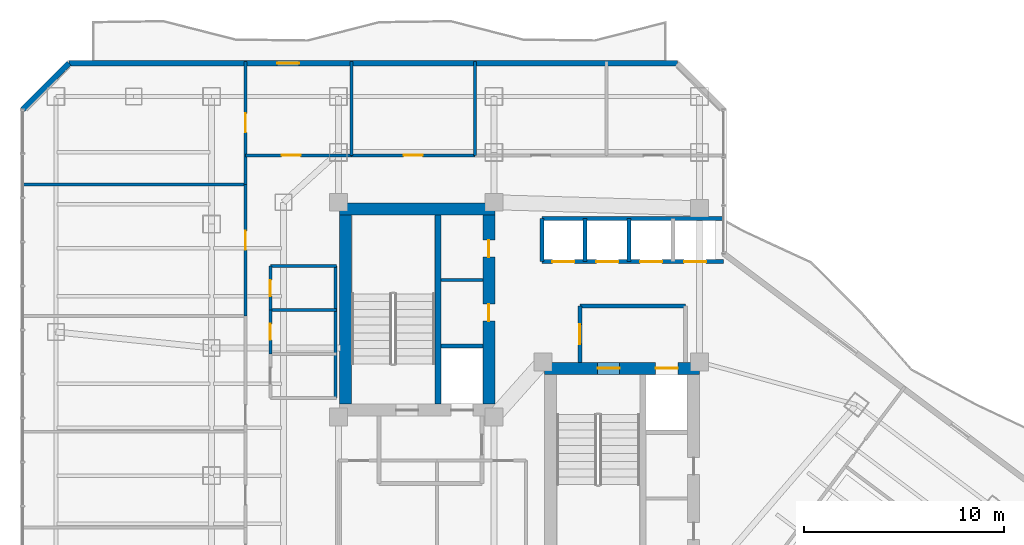
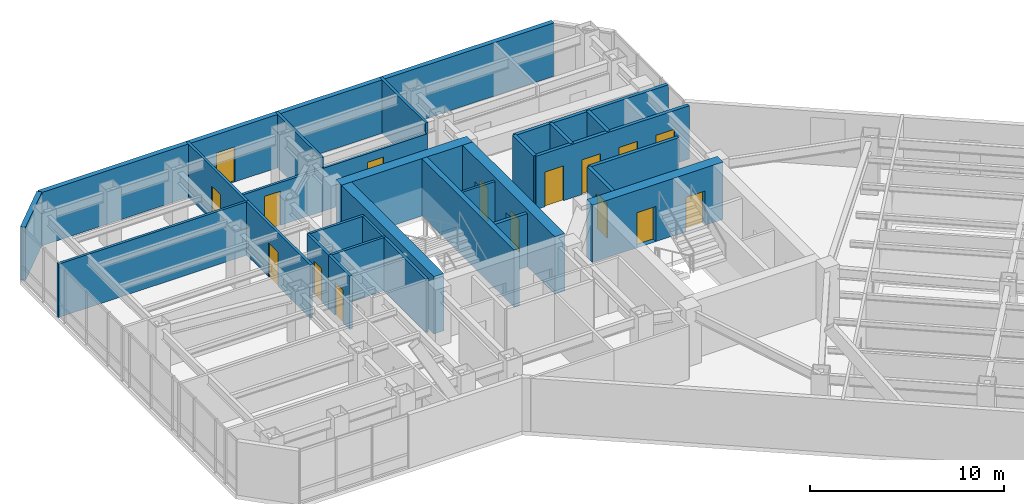
# One storey, part 25 of 31: 28 walls, 16 doors, 16 openings.
"""IFC4 building model written with IfcOpenShell, lengths in metres."""

from ifc_helpers import new_model, si_unit, direction, frame, frame_2d, origin, place, context, subcontext, project, spatial, rectangle, extrude, material, layer, layer_set, type_object, element, fill, save


model = new_model("IFC4")

# Units and contexts
model_context = context("Model", 3, precision=1e-05, world=origin(), true_north=direction((0.0, 1.0)))
body_context = subcontext(model_context, "Body", "Model", "MODEL_VIEW")
ifc_project = project(units=[si_unit("LENGTHUNIT", "METRE"), si_unit("AREAUNIT", "SQUARE_METRE"), si_unit("VOLUMEUNIT", "CUBIC_METRE"), si_unit("PLANEANGLEUNIT", "RADIAN"), si_unit("MASSUNIT", "GRAM", prefix="KILO")], contexts=[model_context])

# Site, building, storey
site_placement = place(None, origin())
site = spatial("IfcSite", under=ifc_project, at=site_placement, CompositionType="ELEMENT")
building_placement = place(site_placement, origin())
building = spatial("IfcBuilding", under=site, at=building_placement, Name="Hatsunagi Terrace Concourse", CompositionType="ELEMENT")
storey_placement = place(building_placement, frame((0.0, 0.0, 122.85009765625)))
storey = spatial("IfcBuildingStorey", under=building, at=storey_placement, Name="L32", CompositionType="ELEMENT", Elevation=122.85009765625)

# Walls
ifc_material_1 = material(Name="Concrete Fc48", Category="concrete")
ifc_layer_1 = layer(ifc_material_1, 0.60009765625)
ifc_layer_set_1 = layer_set([ifc_layer_1], Name="CoreShearWall_Fc48_600")
wall_type_1 = type_object("IfcWallType", Name="CoreShearWall_Fc48_600", PredefinedType="SHEAR", material=ifc_layer_set_1)
wall_1_placement = place(storey_placement, frame((25.6201171875, 42.969970703125, 0.0), z_axis=(0.0, 0.0, 1.0), x_axis=(1.0, 0.0, 0.0)))
element("IfcWall", 1, at=wall_1_placement, inside=storey, type_object=wall_type_1, Name="Core A Shear Wall N L32", PredefinedType="SHEAR", context=body_context, shape_type="SweptSolid", body=[
    extrude(rectangle(XDim=7.77978515625, YDim=0.60009765625, at=frame_2d((3.889892578125, 0.0))), origin(), (0.0, 0.0, 1.0), 3.599853515625),
])
wall_2_placement = place(storey_placement, frame((25.919921875, 33.18994140625, 0.0), z_axis=(0.0, 0.0, 1.0), x_axis=(0.0, 1.0, 0.0)))
element("IfcWall", 2, at=wall_2_placement, inside=storey, type_object=wall_type_1, Name="Core A Shear Wall W L32", PredefinedType="SHEAR", context=body_context, shape_type="SweptSolid", body=[
    extrude(rectangle(XDim=9.47998046875, YDim=0.60009765625, at=frame_2d((4.739990234375, 0.0))), origin(), (0.0, 0.0, 1.0), 3.599853515625),
])

# Wall, openings, doors
wall_3_placement = place(storey_placement, frame((33.10009765625, 33.18994140625, 0.0), z_axis=(0.0, 0.0, 1.0), x_axis=(0.0, 1.0, 0.0)))
wall_3 = element("IfcWall", 3, at=wall_3_placement, inside=storey, type_object=wall_type_1, Name="Core A Shear Wall E L32", PredefinedType="SHEAR", context=body_context, shape_type="SweptSolid", body=[
    extrude(rectangle(XDim=9.47998046875, YDim=0.60009765625, at=frame_2d((4.739990234375, 0.0))), origin(), (0.0, 0.0, 1.0), 3.599853515625),
])
opening_1_placement = place(wall_3_placement, frame((4.159912109375, 0.0, 0.0)))
opening_1 = element("IfcOpeningElement", 4, at=opening_1_placement, cuts=wall_3, Name="Opening DR-085", PredefinedType="OPENING", context=body_context, shape_type="SweptSolid", body=[
    extrude(rectangle(XDim=0.85009765625, YDim=2.080078125, at=frame_2d((0.425048828125, 1.0400390625))), frame((0.0, 0.31005859375, 0.0), z_axis=(0.0, -1.0, 0.0), x_axis=(1.0, 0.0, 0.0)), (0.0, 0.0, 1.0), 0.6201171875),
])
opening_2_placement = place(wall_3_placement, frame((7.360107421875, 0.0, 0.0)))
opening_2 = element("IfcOpeningElement", 5, at=opening_2_placement, cuts=wall_3, Name="Opening DR-085", PredefinedType="OPENING", context=body_context, shape_type="SweptSolid", body=[
    extrude(rectangle(XDim=0.85009765625, YDim=2.080078125, at=frame_2d((0.425048828125, 1.0400390625))), frame((0.0, 0.31005859375, 0.0), z_axis=(0.0, -1.0, 0.0), x_axis=(1.0, 0.0, 0.0)), (0.0, 0.0, 1.0), 0.6201171875),
])
ifc_material_2 = material(Name="Painted steel", Category="steel")
door_type_1 = type_object("IfcDoorType", Name="RiserAccessDoor_EI60_850", OperationType="NOTDEFINED", PredefinedType="DOOR", material=ifc_material_2)
door_1_placement = place(opening_1_placement, origin())
door_1 = element("IfcDoor", 6, at=door_1_placement, inside=storey, type_object=door_type_1, Name="Core A Riser Door L32-1", OperationType="SINGLE_SWING_LEFT", OverallHeight=2.080078125, OverallWidth=0.85009765625, PredefinedType="DOOR", context=body_context, shape_type="SweptSolid", body=[
    extrude(rectangle(XDim=0.85009765625, YDim=2.080078125, at=frame_2d((0.425048828125, 1.0400390625))), frame((0.0, 0.02490234375, 0.0), z_axis=(0.0, -1.0, 0.0), x_axis=(1.0, 0.0, 0.0)), (0.0, 0.0, 1.0), 0.050048828125),
])
fill(opening_1, door_1)
door_2_placement = place(opening_2_placement, origin())
door_2 = element("IfcDoor", 7, at=door_2_placement, inside=storey, type_object=door_type_1, Name="Core A Riser Door L32-2", OperationType="SINGLE_SWING_LEFT", OverallHeight=2.080078125, OverallWidth=0.85009765625, PredefinedType="DOOR", context=body_context, shape_type="SweptSolid", body=[
    extrude(rectangle(XDim=0.85009765625, YDim=2.080078125, at=frame_2d((0.425048828125, 1.0400390625))), frame((0.0, 0.02490234375, 0.0), z_axis=(0.0, -1.0, 0.0), x_axis=(1.0, 0.0, 0.0)), (0.0, 0.0, 1.0), 0.050048828125),
])
fill(opening_2, door_2)

wall_4_placement = place(storey_placement, frame((35.889892578125, 34.969970703125, 0.0), z_axis=(0.0, 0.0, 1.0), x_axis=(1.0, 0.0, 0.0)))
wall_4 = element("IfcWall", 8, at=wall_4_placement, inside=storey, type_object=wall_type_1, Name="Core B Shear Wall N L32", PredefinedType="SHEAR", context=body_context, shape_type="SweptSolid", body=[
    extrude(rectangle(XDim=7.760009765625, YDim=0.60009765625, at=frame_2d((3.8798828125, 0.0))), origin(), (0.0, 0.0, 1.0), 3.599853515625),
])
opening_3_placement = place(wall_4_placement, frame((2.659912109375, 0.0, 0.0)))
opening_3 = element("IfcOpeningElement", 9, at=opening_3_placement, cuts=wall_4, Name="Opening DR-110S", PredefinedType="OPENING", context=body_context, shape_type="SweptSolid", body=[
    extrude(rectangle(XDim=1.10009765625, YDim=2.199951171875, at=frame_2d((0.550048828125, 1.10009765625))), frame((0.0, 0.31005859375, 0.0), z_axis=(0.0, -1.0, 0.0), x_axis=(1.0, 0.0, 0.0)), (0.0, 0.0, 1.0), 0.6201171875),
])
opening_4_placement = place(wall_4_placement, frame((5.56005859375, 0.0, 0.0)))
opening_4 = element("IfcOpeningElement", 10, at=opening_4_placement, cuts=wall_4, Name="Opening LD-02", PredefinedType="OPENING", context=body_context, shape_type="SweptSolid", body=[
    extrude(rectangle(XDim=1.1201171875, YDim=2.14990234375, at=frame_2d((0.56005859375, 1.074951171875))), frame((0.0, 0.31005859375, 0.0), z_axis=(0.0, -1.0, 0.0), x_axis=(1.0, 0.0, 0.0)), (0.0, 0.0, 1.0), 0.6201171875),
])
ifc_material_3 = material(Name="Stainless steel", Category="steel")
door_type_2 = type_object("IfcDoorType", Name="LiftLandingDoor_LD02", OperationType="SLIDING_TO_RIGHT", PredefinedType="USERDEFINED", material=ifc_material_3)
door_3_placement = place(opening_4_placement, origin())
door_3 = element("IfcDoor", 11, at=door_3_placement, inside=storey, type_object=door_type_2, Name="Lift landing door FF-02 L32", ObjectType="SLIDING_LANDING_DOOR", OperationType="SLIDING_TO_RIGHT", OverallHeight=2.14990234375, OverallWidth=1.1201171875, PredefinedType="USERDEFINED", context=body_context, shape_type="SweptSolid", body=[
    extrude(rectangle(XDim=1.1201171875, YDim=2.14990234375, at=frame_2d((0.56005859375, 1.074951171875))), frame((0.0, 0.02490234375, 0.0), z_axis=(0.0, -1.0, 0.0), x_axis=(1.0, 0.0, 0.0)), (0.0, 0.0, 1.0), 0.050048828125),
])
fill(opening_4, door_3)
ifc_material_4 = material(Name="Painted steel", Category="steel")
door_type_3 = type_object("IfcDoorType", Name="StairFireDoor_EI60_1100", OperationType="NOTDEFINED", PredefinedType="DOOR", material=ifc_material_4)
door_4_placement = place(opening_3_placement, origin())
door_4 = element("IfcDoor", 12, at=door_4_placement, inside=storey, type_object=door_type_3, Name="Stair ST-B Exit Door L32", OperationType="SINGLE_SWING_RIGHT", OverallHeight=2.199951171875, OverallWidth=1.10009765625, PredefinedType="DOOR", context=body_context, shape_type="SweptSolid", body=[
    extrude(rectangle(XDim=1.10009765625, YDim=2.199951171875, at=frame_2d((0.550048828125, 1.10009765625))), frame((0.0, 0.02490234375, 0.0), z_axis=(0.0, -1.0, 0.0), x_axis=(1.0, 0.0, 0.0)), (0.0, 0.0, 1.0), 0.050048828125),
])
fill(opening_3, door_4)

# Walls
ifc_material_5 = material(Name="Concrete Fc48", Category="concrete")
ifc_layer_2 = layer(ifc_material_5, 0.300048828125)
ifc_layer_set_2 = layer_set([ifc_layer_2], Name="CoreStairDivider_Fc48_300")
wall_type_2 = type_object("IfcWallType", Name="CoreStairDivider_Fc48_300", PredefinedType="SHEAR", material=ifc_layer_set_2)
wall_5_placement = place(storey_placement, frame((30.5400390625, 33.18994140625, 0.0), z_axis=(0.0, 0.0, 1.0), x_axis=(0.0, 1.0, 0.0)))
element("IfcWall", 13, at=wall_5_placement, inside=storey, type_object=wall_type_2, Name="Core A Shear Wall D L32", PredefinedType="SHEAR", context=body_context, shape_type="SweptSolid", body=[
    extrude(rectangle(XDim=9.47998046875, YDim=0.300048828125, at=frame_2d((4.739990234375, 0.0))), origin(), (0.0, 0.0, 1.0), 3.599853515625),
])
ifc_material_6 = material(Name="Acoustic mineral board", Category="gypsum")
ifc_layer_3 = layer(ifc_material_6, 0.14990234375)
ifc_layer_set_3 = layer_set([ifc_layer_3], Name="PartitionWall_EI60_150")
wall_type_3 = type_object("IfcWallType", Name="PartitionWall_EI60_150", PredefinedType="PARTITIONING", material=ifc_layer_set_3)
wall_6_placement = place(storey_placement, frame((30.699951171875, 39.39990234375, 0.0), z_axis=(0.0, 0.0, 1.0), x_axis=(1.0, 0.0, 0.0)))
element("IfcWall", 14, at=wall_6_placement, inside=storey, type_object=wall_type_3, Name="Interior Partition IW-L32-002", PredefinedType="PARTITIONING", context=body_context, shape_type="SweptSolid", body=[
    extrude(rectangle(XDim=2.10009765625, YDim=0.14990234375, at=frame_2d((1.050048828125, 0.0))), origin(), (0.0, 0.0, 1.0), 3.349853515625),
])
wall_7_placement = place(storey_placement, frame((22.14990234375, 40.10009765625, 0.0), z_axis=(0.0, 0.0, 1.0), x_axis=(1.0, 0.0, 0.0)))
element("IfcWall", 15, at=wall_7_placement, inside=storey, type_object=wall_type_3, Name="Interior Partition IW-L32-018", PredefinedType="PARTITIONING", context=body_context, shape_type="SweptSolid", body=[
    extrude(rectangle(XDim=3.300048828125, YDim=0.14990234375, at=frame_2d((1.64990234375, 0.0))), origin(), (0.0, 0.0, 1.0), 3.349853515625),
])
wall_8_placement = place(storey_placement, frame((25.39990234375, 33.5, 0.0), z_axis=(0.0, 0.0, 1.0), x_axis=(0.0, 1.0, 0.0)))
element("IfcWall", 16, at=wall_8_placement, inside=storey, type_object=wall_type_3, Name="Interior Partition IW-L32-019", PredefinedType="PARTITIONING", context=body_context, shape_type="SweptSolid", body=[
    extrude(rectangle(XDim=6.60009765625, YDim=0.14990234375, at=frame_2d((3.300048828125, 0.0))), origin(), (0.0, 0.0, 1.0), 3.349853515625),
])
wall_9_placement = place(storey_placement, frame((22.14990234375, 37.89990234375, 0.0), z_axis=(0.0, 0.0, 1.0), x_axis=(1.0, 0.0, 0.0)))
element("IfcWall", 17, at=wall_9_placement, inside=storey, type_object=wall_type_3, Name="Interior Partition IW-L32-021", PredefinedType="PARTITIONING", context=body_context, shape_type="SweptSolid", body=[
    extrude(rectangle(XDim=3.300048828125, YDim=0.14990234375, at=frame_2d((1.64990234375, 0.0))), origin(), (0.0, 0.0, 1.0), 3.349853515625),
])

# Wall, opening, door
wall_10_placement = place(storey_placement, frame((22.14990234375, 35.699951171875, 0.0), z_axis=(0.0, 0.0, 1.0), x_axis=(0.0, 1.0, 0.0)))
wall_10 = element("IfcWall", 18, at=wall_10_placement, inside=storey, type_object=wall_type_3, Name="Interior Partition IW-L32-023", PredefinedType="PARTITIONING", context=body_context, shape_type="SweptSolid", body=[
    extrude(rectangle(XDim=2.199951171875, YDim=0.14990234375, at=frame_2d((1.10009765625, 0.0))), origin(), (0.0, 0.0, 1.0), 3.349853515625),
])
opening_5_placement = place(wall_10_placement, frame((0.699951171875, 0.0, 0.0)))
opening_5 = element("IfcOpeningElement", 19, at=opening_5_placement, cuts=wall_10, Name="Opening DR-080", PredefinedType="OPENING", context=body_context, shape_type="SweptSolid", body=[
    extrude(rectangle(XDim=0.800048828125, YDim=2.06005859375, at=frame_2d((0.39990234375, 1.030029296875))), frame((0.0, 0.0849609375, 0.0), z_axis=(0.0, -1.0, 0.0), x_axis=(1.0, 0.0, 0.0)), (0.0, 0.0, 1.0), 0.169921875),
])
ifc_material_7 = material(Name="Hardwood timber", Category="wood")
door_type_4 = type_object("IfcDoorType", Name="BathroomDoor_800", OperationType="NOTDEFINED", PredefinedType="DOOR", material=ifc_material_7)
door_5_placement = place(opening_5_placement, origin())
door_5 = element("IfcDoor", 20, at=door_5_placement, inside=storey, type_object=door_type_4, Name="Female Restroom Door L32", OperationType="SINGLE_SWING_RIGHT", OverallHeight=2.06005859375, OverallWidth=0.800048828125, PredefinedType="DOOR", context=body_context, shape_type="SweptSolid", body=[
    extrude(rectangle(XDim=0.800048828125, YDim=2.06005859375, at=frame_2d((0.39990234375, 1.030029296875))), frame((0.0, 0.02490234375, 0.0), z_axis=(0.0, -1.0, 0.0), x_axis=(1.0, 0.0, 0.0)), (0.0, 0.0, 1.0), 0.050048828125),
])
fill(opening_5, door_5)

wall_11_placement = place(storey_placement, frame((22.14990234375, 37.89990234375, 0.0), z_axis=(0.0, 0.0, 1.0), x_axis=(0.0, 1.0, 0.0)))
wall_11 = element("IfcWall", 21, at=wall_11_placement, inside=storey, type_object=wall_type_3, Name="Interior Partition IW-L32-024", PredefinedType="PARTITIONING", context=body_context, shape_type="SweptSolid", body=[
    extrude(rectangle(XDim=2.2001953125, YDim=0.14990234375, at=frame_2d((1.10009765625, 0.0))), origin(), (0.0, 0.0, 1.0), 3.349853515625),
])
opening_6_placement = place(wall_11_placement, frame((0.699951171875, 0.0, 0.0)))
opening_6 = element("IfcOpeningElement", 22, at=opening_6_placement, cuts=wall_11, Name="Opening DR-080", PredefinedType="OPENING", context=body_context, shape_type="SweptSolid", body=[
    extrude(rectangle(XDim=0.800048828125, YDim=2.06005859375, at=frame_2d((0.39990234375, 1.030029296875))), frame((0.0, 0.0849609375, 0.0), z_axis=(0.0, -1.0, 0.0), x_axis=(1.0, 0.0, 0.0)), (0.0, 0.0, 1.0), 0.169921875),
])
door_6_placement = place(opening_6_placement, origin())
door_6 = element("IfcDoor", 23, at=door_6_placement, inside=storey, type_object=door_type_4, Name="Male Restroom Door L32", OperationType="SINGLE_SWING_RIGHT", OverallHeight=2.06005859375, OverallWidth=0.800048828125, PredefinedType="DOOR", context=body_context, shape_type="SweptSolid", body=[
    extrude(rectangle(XDim=0.800048828125, YDim=2.06005859375, at=frame_2d((0.39990234375, 1.030029296875))), frame((0.0, 0.02490234375, 0.0), z_axis=(0.0, -1.0, 0.0), x_axis=(1.0, 0.0, 0.0)), (0.0, 0.0, 1.0), 0.050048828125),
])
fill(opening_6, door_6)

# Wall
wall_12_placement = place(storey_placement, frame((9.639892578125, 44.199951171875, 0.0), z_axis=(0.0, 0.0, 1.0), x_axis=(1.0, 0.0, 0.0)))
element("IfcWall", 24, at=wall_12_placement, inside=storey, type_object=wall_type_3, Name="Interior Partition IW-L32-038", PredefinedType="PARTITIONING", context=body_context, shape_type="SweptSolid", body=[
    extrude(rectangle(XDim=11.260009765625, YDim=0.14990234375, at=frame_2d((5.6298828125, 0.0))), origin(), (0.0, 0.0, 1.0), 3.349853515625),
])

# Wall, opening, door
wall_13_placement = place(storey_placement, frame((20.89990234375, 37.60009765625, 0.0), z_axis=(0.0, 0.0, 1.0), x_axis=(0.0, 1.0, 0.0)))
wall_13 = element("IfcWall", 25, at=wall_13_placement, inside=storey, type_object=wall_type_3, Name="Interior Partition IW-L32-039", PredefinedType="PARTITIONING", context=body_context, shape_type="SweptSolid", body=[
    extrude(rectangle(XDim=6.599853515625, YDim=0.14990234375, at=frame_2d((3.2998046875, 0.0))), origin(), (0.0, 0.0, 1.0), 3.349853515625),
])
opening_7_placement = place(wall_13_placement, frame((3.31396484375, 0.0, 0.0)))
opening_7 = element("IfcOpeningElement", 26, at=opening_7_placement, cuts=wall_13, Name="Opening DR-095", PredefinedType="OPENING", context=body_context, shape_type="SweptSolid", body=[
    extrude(rectangle(XDim=0.949951171875, YDim=2.14990234375, at=frame_2d((0.47509765625, 1.074951171875))), frame((0.0, 0.0849609375, 0.0), z_axis=(0.0, -1.0, 0.0), x_axis=(1.0, 0.0, 0.0)), (0.0, 0.0, 1.0), 0.169921875),
])
ifc_material_8 = material(Name="Hardwood timber", Category="wood")
door_type_5 = type_object("IfcDoorType", Name="InteriorSuiteDoor_EI30_950", OperationType="NOTDEFINED", PredefinedType="DOOR", material=ifc_material_8)
door_7_placement = place(opening_7_placement, origin())
door_7 = element("IfcDoor", 27, at=door_7_placement, inside=storey, type_object=door_type_5, Name="Meeting Room L32-OW4 Door", OperationType="SINGLE_SWING_RIGHT", OverallHeight=2.14990234375, OverallWidth=0.949951171875, PredefinedType="DOOR", context=body_context, shape_type="SweptSolid", body=[
    extrude(rectangle(XDim=0.949951171875, YDim=2.14990234375, at=frame_2d((0.47509765625, 1.074951171875))), frame((0.0, 0.02490234375, 0.0), z_axis=(0.0, -1.0, 0.0), x_axis=(1.0, 0.0, 0.0)), (0.0, 0.0, 1.0), 0.050048828125),
])
fill(opening_7, door_7)

wall_14_placement = place(storey_placement, frame((20.89990234375, 44.199951171875, 0.0), z_axis=(0.0, 0.0, 1.0), x_axis=(0.0, 1.0, 0.0)))
wall_14 = element("IfcWall", 28, at=wall_14_placement, inside=storey, type_object=wall_type_3, Name="Interior Partition IW-L32-040", PredefinedType="PARTITIONING", context=body_context, shape_type="SweptSolid", body=[
    extrude(rectangle(XDim=6.16015625, YDim=0.14990234375, at=frame_2d((3.080078125, 0.0))), origin(), (0.0, 0.0, 1.0), 3.349853515625),
])
opening_8_placement = place(wall_14_placement, frame((2.60498046875, 0.0, 0.0)))
opening_8 = element("IfcOpeningElement", 29, at=opening_8_placement, cuts=wall_14, Name="Opening DR-095", PredefinedType="OPENING", context=body_context, shape_type="SweptSolid", body=[
    extrude(rectangle(XDim=0.949951171875, YDim=2.14990234375, at=frame_2d((0.47509765625, 1.074951171875))), frame((0.0, 0.0849609375, 0.0), z_axis=(0.0, -1.0, 0.0), x_axis=(1.0, 0.0, 0.0)), (0.0, 0.0, 1.0), 0.169921875),
])
door_8_placement = place(opening_8_placement, origin())
door_8 = element("IfcDoor", 30, at=door_8_placement, inside=storey, type_object=door_type_5, Name="Team Innovation Studio L32-OW5 Door", OperationType="SINGLE_SWING_RIGHT", OverallHeight=2.14990234375, OverallWidth=0.949951171875, PredefinedType="DOOR", context=body_context, shape_type="SweptSolid", body=[
    extrude(rectangle(XDim=0.949951171875, YDim=2.14990234375, at=frame_2d((0.47509765625, 1.074951171875))), frame((0.0, 0.02490234375, 0.0), z_axis=(0.0, -1.0, 0.0), x_axis=(1.0, 0.0, 0.0)), (0.0, 0.0, 1.0), 0.050048828125),
])
fill(opening_8, door_8)

wall_15_placement = place(storey_placement, frame((20.89990234375, 45.64990234375, 0.0), z_axis=(0.0, 0.0, 1.0), x_axis=(1.0, 0.0, 0.0)))
wall_15 = element("IfcWall", 31, at=wall_15_placement, inside=storey, type_object=wall_type_3, Name="Interior Partition IW-L32-041", PredefinedType="PARTITIONING", context=body_context, shape_type="SweptSolid", body=[
    extrude(rectangle(XDim=5.300048828125, YDim=0.14990234375, at=frame_2d((2.64990234375, 0.0))), origin(), (0.0, 0.0, 1.0), 2.69482421875),
])
opening_9_placement = place(wall_15_placement, frame((1.81591796875, 0.0, 0.0)))
opening_9 = element("IfcOpeningElement", 32, at=opening_9_placement, cuts=wall_15, Name="Opening DR-095", PredefinedType="OPENING", context=body_context, shape_type="SweptSolid", body=[
    extrude(rectangle(XDim=0.949951171875, YDim=2.14990234375, at=frame_2d((0.47509765625, 1.074951171875))), frame((0.0, 0.0849609375, 0.0), z_axis=(0.0, -1.0, 0.0), x_axis=(1.0, 0.0, 0.0)), (0.0, 0.0, 1.0), 0.169921875),
])
door_9_placement = place(opening_9_placement, origin())
door_9 = element("IfcDoor", 33, at=door_9_placement, inside=storey, type_object=door_type_5, Name="Executive Briefing Room L32-ON1 Door", OperationType="SINGLE_SWING_LEFT", OverallHeight=2.14990234375, OverallWidth=0.949951171875, PredefinedType="DOOR", context=body_context, shape_type="SweptSolid", body=[
    extrude(rectangle(XDim=0.949951171875, YDim=2.14990234375, at=frame_2d((0.47509765625, 1.074951171875))), frame((0.0, 0.02490234375, 0.0), z_axis=(0.0, -1.0, 0.0), x_axis=(1.0, 0.0, 0.0)), (0.0, 0.0, 1.0), 0.050048828125),
])
fill(opening_9, door_9)

# Wall
wall_16_placement = place(storey_placement, frame((26.199951171875, 45.64990234375, 0.0), z_axis=(0.0, 0.0, 1.0), x_axis=(0.0, 1.0, 0.0)))
element("IfcWall", 34, at=wall_16_placement, inside=storey, type_object=wall_type_3, Name="Interior Partition IW-L32-042", PredefinedType="PARTITIONING", context=body_context, shape_type="SweptSolid", body=[
    extrude(rectangle(XDim=4.710205078125, YDim=0.14990234375, at=frame_2d((2.35498046875, 0.0))), origin(), (0.0, 0.0, 1.0), 3.349853515625),
])

# Wall, opening, door
wall_17_placement = place(storey_placement, frame((26.199951171875, 45.64990234375, 0.0), z_axis=(0.0, 0.0, 1.0), x_axis=(1.0, 0.0, 0.0)))
wall_17 = element("IfcWall", 35, at=wall_17_placement, inside=storey, type_object=wall_type_3, Name="Interior Partition IW-L32-043", PredefinedType="PARTITIONING", context=body_context, shape_type="SweptSolid", body=[
    extrude(rectangle(XDim=6.199951171875, YDim=0.14990234375, at=frame_2d((3.10009765625, 0.0))), origin(), (0.0, 0.0, 1.0), 2.69482421875),
])
opening_10_placement = place(wall_17_placement, frame((2.625, 0.0, 0.0)))
opening_10 = element("IfcOpeningElement", 36, at=opening_10_placement, cuts=wall_17, Name="Opening DR-095", PredefinedType="OPENING", context=body_context, shape_type="SweptSolid", body=[
    extrude(rectangle(XDim=0.949951171875, YDim=2.14990234375, at=frame_2d((0.47509765625, 1.074951171875))), frame((0.0, 0.0849609375, 0.0), z_axis=(0.0, -1.0, 0.0), x_axis=(1.0, 0.0, 0.0)), (0.0, 0.0, 1.0), 0.169921875),
])
door_10_placement = place(opening_10_placement, origin())
door_10 = element("IfcDoor", 37, at=door_10_placement, inside=storey, type_object=door_type_5, Name="Client Consultation Room L32-ON2 Door", OperationType="SINGLE_SWING_RIGHT", OverallHeight=2.14990234375, OverallWidth=0.949951171875, PredefinedType="DOOR", context=body_context, shape_type="SweptSolid", body=[
    extrude(rectangle(XDim=0.949951171875, YDim=2.14990234375, at=frame_2d((0.47509765625, 1.074951171875))), frame((0.0, 0.02490234375, 0.0), z_axis=(0.0, -1.0, 0.0), x_axis=(1.0, 0.0, 0.0)), (0.0, 0.0, 1.0), 0.050048828125),
])
fill(opening_10, door_10)

# Walls
wall_18_placement = place(storey_placement, frame((32.39990234375, 45.64990234375, 0.0), z_axis=(0.0, 0.0, 1.0), x_axis=(0.0, 1.0, 0.0)))
element("IfcWall", 38, at=wall_18_placement, inside=storey, type_object=wall_type_3, Name="Interior Partition IW-L32-044", PredefinedType="PARTITIONING", context=body_context, shape_type="SweptSolid", body=[
    extrude(rectangle(XDim=4.710205078125, YDim=0.14990234375, at=frame_2d((2.35498046875, 0.0))), origin(), (0.0, 0.0, 1.0), 3.349853515625),
])
ifc_material_9 = material(Name="Acoustic mineral board", Category="gypsum")
ifc_layer_4 = layer(ifc_material_9, 0.199951171875)
ifc_layer_set_4 = layer_set([ifc_layer_4], Name="ShaftWall_EI120_200")
wall_type_4 = type_object("IfcWallType", Name="ShaftWall_EI120_200", PredefinedType="STANDARD", material=ifc_layer_set_4)
wall_19_placement = place(storey_placement, frame((30.699951171875, 36.10009765625, 0.0), z_axis=(0.0, 0.0, 1.0), x_axis=(1.0, 0.0, 0.0)))
element("IfcWall", 39, at=wall_19_placement, inside=storey, type_object=wall_type_4, Name="Interior Partition IW-L32-001", PredefinedType="STANDARD", context=body_context, shape_type="SweptSolid", body=[
    extrude(rectangle(XDim=2.10009765625, YDim=0.199951171875, at=frame_2d((1.050048828125, 0.0))), origin(), (0.0, 0.0, 1.0), 3.349853515625),
])
wall_20_placement = place(storey_placement, frame((37.64990234375, 38.10009765625, 0.0), z_axis=(0.0, 0.0, 1.0), x_axis=(1.0, 0.0, 0.0)))
element("IfcWall", 40, at=wall_20_placement, inside=storey, type_object=wall_type_4, Name="Interior Partition IW-L32-008", PredefinedType="STANDARD", context=body_context, shape_type="SweptSolid", body=[
    extrude(rectangle(XDim=5.300048828125, YDim=0.199951171875, at=frame_2d((2.64990234375, 0.0))), origin(), (0.0, 0.0, 1.0), 3.349853515625),
])

# Wall, opening, door
wall_21_placement = place(storey_placement, frame((37.64990234375, 35.27001953125, 0.0), z_axis=(0.0, 0.0, 1.0), x_axis=(0.0, 1.0, 0.0)))
wall_21 = element("IfcWall", 41, at=wall_21_placement, inside=storey, type_object=wall_type_4, Name="Interior Partition IW-L32-010", PredefinedType="STANDARD", context=body_context, shape_type="SweptSolid", body=[
    extrude(rectangle(XDim=2.830078125, YDim=0.199951171875, at=frame_2d((1.4150390625, 0.0))), origin(), (0.0, 0.0, 1.0), 3.349853515625),
])
opening_11_placement = place(wall_21_placement, frame((0.9150390625, 0.0, 0.0)))
opening_11 = element("IfcOpeningElement", 42, at=opening_11_placement, cuts=wall_21, Name="Opening DR-100F", PredefinedType="OPENING", context=body_context, shape_type="SweptSolid", body=[
    extrude(rectangle(XDim=1.0, YDim=2.199951171875, at=frame_2d((0.5, 1.10009765625))), frame((0.0, 0.10986328125, 0.0), z_axis=(0.0, -1.0, 0.0), x_axis=(1.0, 0.0, 0.0)), (0.0, 0.0, 1.0), 0.219970703125),
])
ifc_material_10 = material(Name="Painted steel", Category="steel")
door_type_6 = type_object("IfcDoorType", Name="FireDoor_EI60_1000", OperationType="NOTDEFINED", PredefinedType="DOOR", material=ifc_material_10)
door_11_placement = place(opening_11_placement, origin())
door_11 = element("IfcDoor", 43, at=door_11_placement, inside=storey, type_object=door_type_6, Name="Firefighting Lobby B Door L32", OperationType="SINGLE_SWING_RIGHT", OverallHeight=2.199951171875, OverallWidth=1.0, PredefinedType="DOOR", context=body_context, shape_type="SweptSolid", body=[
    extrude(rectangle(XDim=1.0, YDim=2.199951171875, at=frame_2d((0.5, 1.10009765625))), frame((0.0, 0.02490234375, 0.0), z_axis=(0.0, -1.0, 0.0), x_axis=(1.0, 0.0, 0.0)), (0.0, 0.0, 1.0), 0.050048828125),
])
fill(opening_11, door_11)

# Walls
wall_22_placement = place(storey_placement, frame((35.75, 42.47998046875, 0.0), z_axis=(0.0, 0.0, 1.0), x_axis=(1.0, 0.0, 0.0)))
element("IfcWall", 44, at=wall_22_placement, inside=storey, type_object=wall_type_4, Name="Interior Partition IW-L32-011", PredefinedType="STANDARD", context=body_context, shape_type="SweptSolid", body=[
    extrude(rectangle(XDim=9.110107421875, YDim=0.199951171875, at=frame_2d((4.55517578125, 0.0))), origin(), (0.0, 0.0, 1.0), 3.349853515625),
])
for number, where, z_axis, x_axis, name in (
    (45, (35.75, 40.320068359375, 0.0), (0.0, 0.0, 1.0), (0.0, 1.0, 0.0), "Interior Partition IW-L32-012"),
    (46, (37.919921875, 40.320068359375, 0.0), (0.0, 0.0, 1.0), (0.0, 1.0, 0.0), "Interior Partition IW-L32-013"),
    (47, (40.1201171875, 40.320068359375, 0.0), (0.0, 0.0, 1.0), (0.0, 1.0, 0.0), "Interior Partition IW-L32-014"),
):
    element("IfcWall", number, at=place(storey_placement, frame(where, z_axis=z_axis, x_axis=x_axis)), inside=storey, type_object=wall_type_4, Name=name, PredefinedType="STANDARD", context=body_context, shape_type="SweptSolid", body=[
        extrude(rectangle(XDim=2.159912109375, YDim=0.199951171875, at=frame_2d((1.080078125, 0.0))), origin(), (0.0, 0.0, 1.0), 3.349853515625),
    ])

# Wall, openings, doors
wall_23_placement = place(storey_placement, frame((35.75, 40.320068359375, 0.0), z_axis=(0.0, 0.0, 1.0), x_axis=(1.0, 0.0, 0.0)))
wall_23 = element("IfcWall", 48, at=wall_23_placement, inside=storey, type_object=wall_type_4, Name="Interior Partition IW-L32-016", PredefinedType="STANDARD", context=body_context, shape_type="SweptSolid", body=[
    extrude(rectangle(XDim=9.110107421875, YDim=0.199951171875, at=frame_2d((4.55517578125, 0.0))), origin(), (0.0, 0.0, 1.0), 3.349853515625),
])
opening_12_placement = place(wall_23_placement, frame((0.530029296875, 0.0, 0.0)))
opening_12 = element("IfcOpeningElement", 49, at=opening_12_placement, cuts=wall_23, Name="Opening LD-04", PredefinedType="OPENING", context=body_context, shape_type="SweptSolid", body=[
    extrude(rectangle(XDim=1.10009765625, YDim=2.179931640625, at=frame_2d((0.550048828125, 1.08984375))), frame((0.0, 0.10986328125, 0.0), z_axis=(0.0, -1.0, 0.0), x_axis=(1.0, 0.0, 0.0)), (0.0, 0.0, 1.0), 0.219970703125),
])
opening_13_placement = place(wall_23_placement, frame((2.72998046875, 0.0, 0.0)))
opening_13 = element("IfcOpeningElement", 50, at=opening_13_placement, cuts=wall_23, Name="Opening LD-04", PredefinedType="OPENING", context=body_context, shape_type="SweptSolid", body=[
    extrude(rectangle(XDim=1.10009765625, YDim=2.179931640625, at=frame_2d((0.550048828125, 1.08984375))), frame((0.0, 0.10986328125, 0.0), z_axis=(0.0, -1.0, 0.0), x_axis=(1.0, 0.0, 0.0)), (0.0, 0.0, 1.0), 0.219970703125),
])
opening_14_placement = place(wall_23_placement, frame((4.929931640625, 0.0, 0.0)))
opening_14 = element("IfcOpeningElement", 51, at=opening_14_placement, cuts=wall_23, Name="Opening LD-04", PredefinedType="OPENING", context=body_context, shape_type="SweptSolid", body=[
    extrude(rectangle(XDim=1.10009765625, YDim=2.179931640625, at=frame_2d((0.550048828125, 1.08984375))), frame((0.0, 0.10986328125, 0.0), z_axis=(0.0, -1.0, 0.0), x_axis=(1.0, 0.0, 0.0)), (0.0, 0.0, 1.0), 0.219970703125),
])
opening_15_placement = place(wall_23_placement, frame((7.1298828125, 0.0, 0.0)))
opening_15 = element("IfcOpeningElement", 52, at=opening_15_placement, cuts=wall_23, Name="Opening LD-04", PredefinedType="OPENING", context=body_context, shape_type="SweptSolid", body=[
    extrude(rectangle(XDim=1.10009765625, YDim=2.179931640625, at=frame_2d((0.550048828125, 1.08984375))), frame((0.0, 0.10986328125, 0.0), z_axis=(0.0, -1.0, 0.0), x_axis=(1.0, 0.0, 0.0)), (0.0, 0.0, 1.0), 0.219970703125),
])
ifc_material_11 = material(Name="Stainless steel", Category="steel")
door_type_7 = type_object("IfcDoorType", Name="LiftLandingDoor_LD04", OperationType="SLIDING_TO_RIGHT", PredefinedType="USERDEFINED", material=ifc_material_11)
door_12_placement = place(opening_12_placement, origin())
door_12 = element("IfcDoor", 53, at=door_12_placement, inside=storey, type_object=door_type_7, Name="Lift landing door PL-05 L32", ObjectType="SLIDING_LANDING_DOOR", OperationType="SLIDING_TO_RIGHT", OverallHeight=2.179931640625, OverallWidth=1.10009765625, PredefinedType="USERDEFINED", context=body_context, shape_type="SweptSolid", body=[
    extrude(rectangle(XDim=1.10009765625, YDim=2.179931640625, at=frame_2d((0.550048828125, 1.08984375))), frame((0.0, 0.02490234375, 0.0), z_axis=(0.0, -1.0, 0.0), x_axis=(1.0, 0.0, 0.0)), (0.0, 0.0, 1.0), 0.050048828125),
])
fill(opening_12, door_12)
door_13_placement = place(opening_13_placement, origin())
door_13 = element("IfcDoor", 54, at=door_13_placement, inside=storey, type_object=door_type_7, Name="Lift landing door PL-06 L32", ObjectType="SLIDING_LANDING_DOOR", OperationType="SLIDING_TO_RIGHT", OverallHeight=2.179931640625, OverallWidth=1.10009765625, PredefinedType="USERDEFINED", context=body_context, shape_type="SweptSolid", body=[
    extrude(rectangle(XDim=1.10009765625, YDim=2.179931640625, at=frame_2d((0.550048828125, 1.08984375))), frame((0.0, 0.02490234375, 0.0), z_axis=(0.0, -1.0, 0.0), x_axis=(1.0, 0.0, 0.0)), (0.0, 0.0, 1.0), 0.050048828125),
])
fill(opening_13, door_13)
door_14_placement = place(opening_14_placement, origin())
door_14 = element("IfcDoor", 55, at=door_14_placement, inside=storey, type_object=door_type_7, Name="Lift landing door PL-07 L32", ObjectType="SLIDING_LANDING_DOOR", OperationType="SLIDING_TO_RIGHT", OverallHeight=2.179931640625, OverallWidth=1.10009765625, PredefinedType="USERDEFINED", context=body_context, shape_type="SweptSolid", body=[
    extrude(rectangle(XDim=1.10009765625, YDim=2.179931640625, at=frame_2d((0.550048828125, 1.08984375))), frame((0.0, 0.02490234375, 0.0), z_axis=(0.0, -1.0, 0.0), x_axis=(1.0, 0.0, 0.0)), (0.0, 0.0, 1.0), 0.050048828125),
])
fill(opening_14, door_14)
door_15_placement = place(opening_15_placement, origin())
door_15 = element("IfcDoor", 56, at=door_15_placement, inside=storey, type_object=door_type_7, Name="Lift landing door PL-08 L32", ObjectType="SLIDING_LANDING_DOOR", OperationType="SLIDING_TO_RIGHT", OverallHeight=2.179931640625, OverallWidth=1.10009765625, PredefinedType="USERDEFINED", context=body_context, shape_type="SweptSolid", body=[
    extrude(rectangle(XDim=1.10009765625, YDim=2.179931640625, at=frame_2d((0.550048828125, 1.08984375))), frame((0.0, 0.02490234375, 0.0), z_axis=(0.0, -1.0, 0.0), x_axis=(1.0, 0.0, 0.0)), (0.0, 0.0, 1.0), 0.050048828125),
])
fill(opening_15, door_15)

# Wall
ifc_material_12 = material(Name="Autoclaved Lightweight Concrete and Terracotta Cladding", Category="masonry")
ifc_layer_5 = layer(ifc_material_12, 0.280029296875)
ifc_layer_set_5 = layer_set([ifc_layer_5], Name="TerracottaSpandrelWall_280")
wall_type_5 = type_object("IfcWallType", Name="TerracottaSpandrelWall_280", PredefinedType="STANDARD", material=ifc_layer_set_5)
wall_24_placement = place(storey_placement, frame((9.739990234375, 47.94189453125, 0.0), z_axis=(0.0, 0.0, 1.0), x_axis=(0.707106781187, 0.707106781187, 0.0)))
element("IfcWall", 57, at=wall_24_placement, inside=storey, type_object=wall_type_5, Name="Exterior Spandrel Wall EW-L32-10", PredefinedType="STANDARD", context=body_context, shape_type="SweptSolid", body=[
    extrude(rectangle(XDim=3.2783203125, YDim=0.280029296875, at=frame_2d((1.63916015625, 0.0))), origin(), (0.0, 0.0, 1.0), 3.349853515625),
])

# Wall, opening, door
wall_25_placement = place(storey_placement, frame((12.05810546875, 50.260009765625, 0.0), z_axis=(0.0, 0.0, 1.0), x_axis=(1.0, 0.0, 0.0)))
wall_25 = element("IfcWall", 58, at=wall_25_placement, inside=storey, type_object=wall_type_5, Name="Exterior Spandrel Wall EW-L32-11", PredefinedType="STANDARD", context=body_context, shape_type="SweptSolid", body=[
    extrude(rectangle(XDim=30.48388671875, YDim=0.280029296875, at=frame_2d((15.241943359375, 0.0))), origin(), (0.0, 0.0, 1.0), 3.349853515625),
])
opening_16_placement = place(wall_25_placement, frame((10.424072265625, 0.0, 0.0)))
opening_16 = element("IfcOpeningElement", 59, at=opening_16_placement, cuts=wall_25, Name="Opening BD-01", PredefinedType="OPENING", context=body_context, shape_type="SweptSolid", body=[
    extrude(rectangle(XDim=1.10009765625, YDim=2.199951171875, at=frame_2d((0.550048828125, 1.10009765625))), frame((0.0, 0.14990234375, 0.0), z_axis=(0.0, -1.0, 0.0), x_axis=(1.0, 0.0, 0.0)), (0.0, 0.0, 1.0), 0.300048828125),
])
ifc_material_13 = material(Name="Galvanised Steel and Laminated Safety Glass", Category="steel")
door_type_8 = type_object("IfcDoorType", Name="BalconyTerraceAccessDoor_1100x2200", OperationType="SINGLE_SWING_LEFT", PredefinedType="DOOR", material=ifc_material_13)
door_16_placement = place(opening_16_placement, origin())
door_16 = element("IfcDoor", 60, at=door_16_placement, inside=storey, type_object=door_type_8, Name="Engawa Balcony Door L32-BN", OperationType="SINGLE_SWING_RIGHT", OverallHeight=2.199951171875, OverallWidth=1.10009765625, PredefinedType="DOOR", context=body_context, shape_type="SweptSolid", body=[
    extrude(rectangle(XDim=1.10009765625, YDim=2.199951171875, at=frame_2d((0.550048828125, 1.10009765625))), frame((0.0, 0.02490234375, 0.0), z_axis=(0.0, -1.0, 0.0), x_axis=(1.0, 0.0, 0.0)), (0.0, 0.0, 1.0), 0.050048828125),
])
fill(opening_16, door_16)

save(model, "model.ifc")
